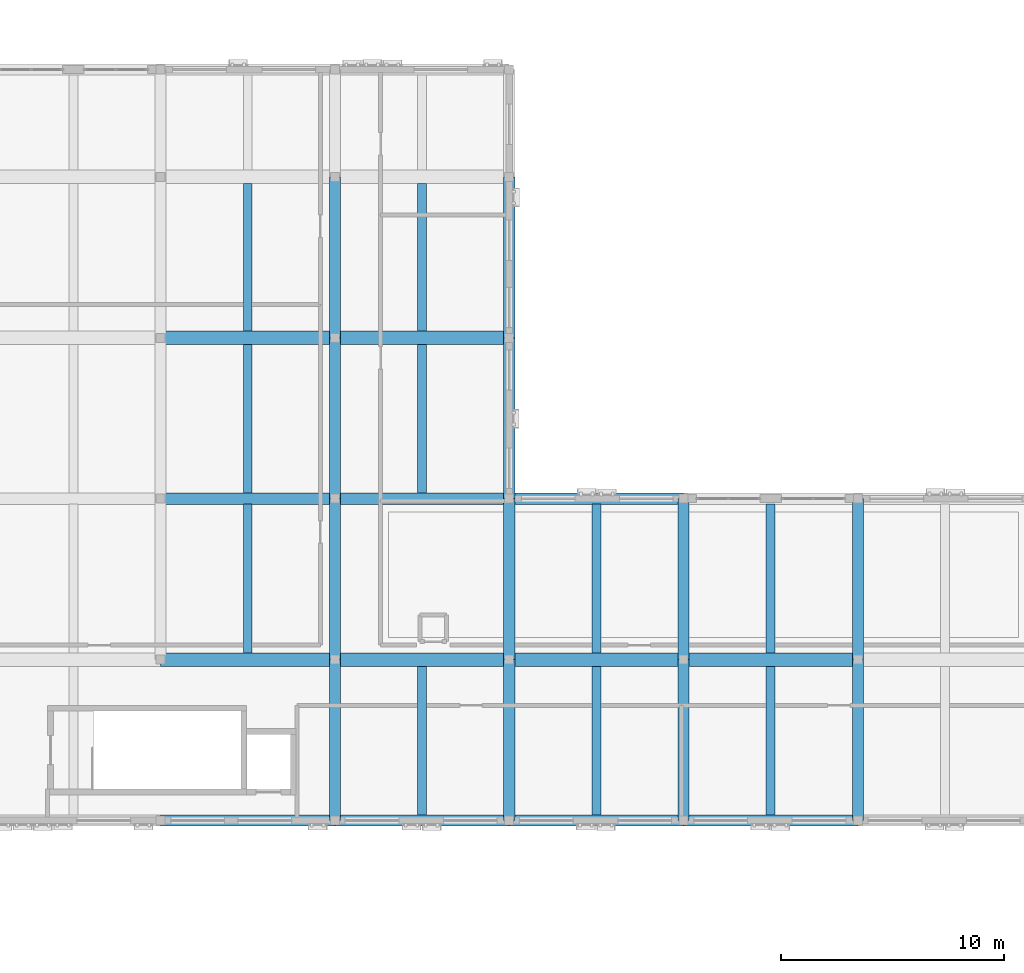
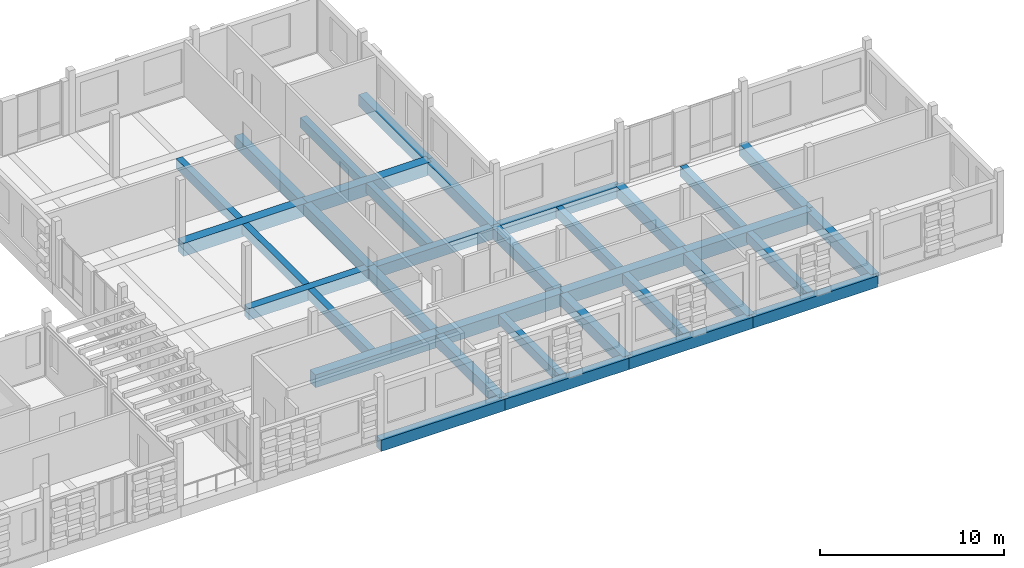
# One storey, part 41 of 99: 35 beams.
"""IFC4 building model written with IfcOpenShell, lengths in metres."""

import ifcopenshell
import ifcopenshell.guid

model = None  # the IFC model being written
_history = None  # IfcOwnerHistory: only IFC2X3 demands one
_inside = {}  # id of a spatial element -> (the spatial element, [elements in it])
_under = {}  # id of a project, library or spatial element -> (it, [spatial elements below it])
_declared = {}  # id of a project -> (the project, [libraries it declares])
_typed = {}  # id of a type object -> (the type object, [elements of that type])
_made_of = {}  # id of a material, layer set ... -> (it, [elements and type objects made of it])


def new_model(schema):
    """Start an empty IFC model of exactly this schema.

    Asked for "IFC4X3", IfcOpenShell would pick the latest addendum, in which some entities
    have other attributes; the version numbers below select the first issue.
    IFC2X3 requires an IfcOwnerHistory on every rooted entity: one is made here for all.
    """
    global model, _history
    if schema == "IFC4X3":
        model = ifcopenshell.file(schema_version=(4, 3, 0, 0))
    else:
        model = ifcopenshell.file(schema=schema)
    _inside.clear()
    _under.clear()
    _declared.clear()
    _typed.clear()
    _made_of.clear()
    _history = None
    if model.schema == "IFC2X3":
        org = make("IfcOrganization", Name="unknown")
        user = make(
            "IfcPersonAndOrganization",
            ThePerson=make("IfcPerson", FamilyName="unknown"),
            TheOrganization=org,
        )
        app = make(
            "IfcApplication",
            ApplicationDeveloper=org,
            Version="unknown",
            ApplicationFullName="unknown",
            ApplicationIdentifier="unknown",
        )
        _history = make(
            "IfcOwnerHistory",
            OwningUser=user,
            OwningApplication=app,
            ChangeAction="ADDED",
            CreationDate=0,
        )
    return model


def make(cls, **values):
    """One entity of the class cls with the attributes given. An attribute that is None is left unset."""
    return model.create_entity(
        cls, **{name: value for name, value in values.items() if value is not None}
    )


def rooted(cls, **values):
    """An entity with a GlobalId (a new one), such as an element, a storey or a relation."""
    return make(cls, GlobalId=ifcopenshell.guid.new(), OwnerHistory=_history, **values)


def si_unit(unit_type, name, prefix=None):
    """IfcSIUnit, for example si_unit("LENGTHUNIT", "METRE", prefix="MILLI")."""
    return make("IfcSIUnit", UnitType=unit_type, Prefix=prefix, Name=name)


def assignment(units):
    """IfcUnitAssignment: the units of a project."""
    return None if units is None else make("IfcUnitAssignment", Units=units)


def point(xyz):
    """IfcCartesianPoint."""
    return None if xyz is None else make("IfcCartesianPoint", Coordinates=xyz)


def direction(xyz):
    """IfcDirection."""
    return None if xyz is None else make("IfcDirection", DirectionRatios=xyz)


def frame(location, z_axis=None, x_axis=None):
    """IfcAxis2Placement3D, a coordinate frame: its origin and axes. An axis left out is left unset."""
    return make(
        "IfcAxis2Placement3D",
        Location=point(location),
        Axis=direction(z_axis),
        RefDirection=direction(x_axis),
    )


def frame_2d(location, x_axis=None):
    """IfcAxis2Placement2D, a coordinate frame in the plane: its origin and x axis."""
    return make(
        "IfcAxis2Placement2D", Location=point(location), RefDirection=direction(x_axis)
    )


def origin():
    """The frame at (0, 0, 0) with its axes left unset."""
    return frame((0.0, 0.0, 0.0))


def origin_2d():
    """The frame at (0, 0) in the plane with its x axis left unset."""
    return frame_2d((0.0, 0.0))


def place(relative_to, where):
    """IfcLocalPlacement: puts the frame where relative to a parent placement (None: the world)."""
    return make(
        "IfcLocalPlacement", PlacementRelTo=relative_to, RelativePlacement=where
    )


def context(
    kind, dimensions, precision=None, world=None, true_north=None, identifier=None
):
    """IfcGeometricRepresentationContext, for example the 3D "Model" context."""
    return make(
        "IfcGeometricRepresentationContext",
        ContextIdentifier=identifier,
        ContextType=kind,
        CoordinateSpaceDimension=dimensions,
        Precision=precision,
        WorldCoordinateSystem=world,
        TrueNorth=true_north,
    )


def subcontext(parent, identifier, kind, view, scale=None):
    """IfcGeometricRepresentationSubContext, for example "Body" below "Model"."""
    return make(
        "IfcGeometricRepresentationSubContext",
        ContextIdentifier=identifier,
        ContextType=kind,
        ParentContext=parent,
        TargetScale=scale,
        TargetView=view,
    )


def project(units=None, contexts=None):
    """IfcProject with its units and contexts."""
    return rooted(
        "IfcProject",
        Name="project",
        RepresentationContexts=contexts,
        UnitsInContext=assignment(units),
    )


def spatial(cls, under=None, at=None, **own):
    """A site, building, storey or space (cls), placed at a placement, below another one or the project."""
    s = rooted(cls, ObjectPlacement=at, **own)
    if under is not None:
        _under.setdefault(under.id(), (under, []))[1].append(s)
    return s


def profile(cls, at=None, kind="AREA", **sizes):
    """A parametric profile (cls). Its sizes go by their IFC names, for example OverallWidth=200.0."""
    return make(cls, ProfileType=kind, Position=at, **sizes)


def rectangle(**sizes):
    """IfcRectangleProfileDef."""
    return profile("IfcRectangleProfileDef", **sizes)


def extrude(swept, where, along, depth):
    """IfcExtrudedAreaSolid: the profile swept, set in the frame where, extruded along a direction by depth."""
    return make(
        "IfcExtrudedAreaSolid",
        SweptArea=swept,
        Position=where,
        ExtrudedDirection=direction(along),
        Depth=depth,
    )


def shape(context_of_items, identifier, shape_type, items):
    """IfcShapeRepresentation: the items that make up one representation, for example the "Body"."""
    return make(
        "IfcShapeRepresentation",
        ContextOfItems=context_of_items,
        RepresentationIdentifier=identifier,
        RepresentationType=shape_type,
        Items=items,
    )


def material(Name=None, Category=None):
    """IfcMaterial."""
    return make("IfcMaterial", Name=Name, Category=Category)


def material_profile(
    of_material, cross_section, Name=None, Category=None, Priority=None
):
    """IfcMaterialProfile: a cross section and its material."""
    return make(
        "IfcMaterialProfile",
        Name=Name,
        Material=of_material,
        Profile=cross_section,
        Priority=Priority,
        Category=Category,
    )


def profile_set(profiles, Name=None, composite=None):
    """IfcMaterialProfileSet."""
    return make(
        "IfcMaterialProfileSet",
        Name=Name,
        MaterialProfiles=profiles,
        CompositeProfile=composite,
    )


def made_of(thing, what):
    """Note that an element or type object is made of a material, layer set ...; save() writes the relation."""
    if what is not None:
        _made_of.setdefault(what.id(), (what, []))[1].append(thing)
    return thing


def type_object(cls, material=None, **own):
    """A type object (cls), such as IfcWallType, which elements share."""
    return made_of(rooted(cls, **own), material)


def element(
    cls,
    number,
    at=None,
    inside=None,
    cuts=None,
    type_object=None,
    material=None,
    context=None,
    identifier="Body",
    shape_type=None,
    held_by="IfcProductDefinitionShape",
    body=None,
    shapes=None,
    **own,
):
    """One element of the class cls, such as IfcWall. Its Tag is "e" and its number.

    at: its placement. inside: the storey or other place that contains it. cuts: it is an
    opening in that element (IfcRelVoidsElement). A single representation is given by context,
    identifier, shape_type and body (its items); several are given by shapes. held_by: the class
    of the entity that holds the representations. save() writes the other relations.
    """
    e = rooted(cls, Tag="e%d" % number, ObjectPlacement=at, **own)
    if body is not None:
        shapes = [shape(context, identifier, shape_type, body)]
    if shapes is not None:
        e.Representation = make(held_by, Representations=shapes)
    if inside is not None:
        _inside.setdefault(inside.id(), (inside, []))[1].append(e)
    if cuts is not None:
        rooted(
            "IfcRelVoidsElement", RelatingBuildingElement=cuts, RelatedOpeningElement=e
        )
    if type_object is not None:
        _typed.setdefault(type_object.id(), (type_object, []))[1].append(e)
    return made_of(e, material)


def aggregate(whole, parts):
    """IfcRelAggregates: a whole, such as a stair, and the parts it consists of."""
    return rooted("IfcRelAggregates", RelatingObject=whole, RelatedObjects=parts)


def save(model, path):
    """Write the relations noted so far, then the file.

    IfcRelAggregates (storeys below a building ...), IfcRelContainedInSpatialStructure (elements
    in a storey), IfcRelDefinesByType, IfcRelAssociatesMaterial and IfcRelDeclares: one each for
    every whole, place, type object, material and project.
    """
    for whole, parts in _under.values():
        aggregate(whole, parts)
    for where, things in _inside.values():
        rooted(
            "IfcRelContainedInSpatialStructure",
            RelatedElements=things,
            RelatingStructure=where,
        )
    for kind, things in _typed.values():
        rooted("IfcRelDefinesByType", RelatedObjects=things, RelatingType=kind)
    for what, things in _made_of.values():
        rooted("IfcRelAssociatesMaterial", RelatedObjects=things, RelatingMaterial=what)
    for by, libraries in _declared.values():
        rooted("IfcRelDeclares", RelatingContext=by, RelatedDefinitions=libraries)
    model.write(path)


model = new_model("IFC4")

# Units and contexts
model_context = context("Model", 3, precision=1e-05, world=origin(), true_north=direction((0.0, 1.0)))
body_context = subcontext(model_context, "Body", "Model", "MODEL_VIEW")
ifc_project = project(units=[si_unit("LENGTHUNIT", "METRE"), si_unit("AREAUNIT", "SQUARE_METRE"), si_unit("VOLUMEUNIT", "CUBIC_METRE"), si_unit("PLANEANGLEUNIT", "RADIAN"), si_unit("MASSUNIT", "GRAM", prefix="KILO")], contexts=[model_context])

# Site, building, storey
site_placement = place(None, origin())
site = spatial("IfcSite", under=ifc_project, at=site_placement, CompositionType="ELEMENT")
building_placement = place(site_placement, origin())
building = spatial("IfcBuilding", under=site, at=building_placement, Name="Kahlenmark Community Centre", CompositionType="ELEMENT")
storey_placement = place(building_placement, frame((0.0, 0.0, 5.39990234375)))
storey = spatial("IfcBuildingStorey", under=building, at=storey_placement, Name="L01", CompositionType="ELEMENT", Elevation=5.39990234375)

# Beams
ifc_material = material(Name="Concrete C35/45", Category="concrete")
ifc_material_profile_1 = material_profile(ifc_material, rectangle(XDim=0.5, YDim=0.75, at=origin_2d()), Name="RC 500x750")
ifc_profile_set_1 = profile_set([ifc_material_profile_1], Name="Concrete C35/45")
beam_type_1 = type_object("IfcBeamType", Name="BT-BEAM-RC500x750", PredefinedType="BEAM", material=ifc_profile_set_1)
for number, where, z_axis, x_axis, name in (
    (1, (137.199951171875, 8.800048828125, -0.375), (0.0, 1.0, 0.0), (-1.0, 0.0, 0.0), "L01 beam BG-RC500x750"),
    (2, (137.199951171875, 16.0, -0.375), (0.0, 1.0, 0.0), (-1.0, 0.0, 0.0), "L01 beam BG-RC500x750"),
    (3, (145.0, 8.800048828125, -0.375), (0.0, 1.0, 0.0), (-1.0, 0.0, 0.0), "L01 beam BG-RC500x750"),
    (4, (145.0, 16.0, -0.375), (0.0, 1.0, 0.0), (-1.0, 0.0, 0.0), "L01 beam BG-RC500x750"),
    (5, (152.800048828125, 8.800048828125, -0.375), (0.0, 1.0, 0.0), (-1.0, 0.0, 0.0), "L01 beam BG-RC500x750"),
    (6, (152.800048828125, 16.0, -0.375), (0.0, 1.0, 0.0), (-1.0, 0.0, 0.0), "L01 beam BG-RC500x750"),
    (7, (160.60009765625, 8.800048828125, -0.375), (0.0, 1.0, 0.0), (-1.0, 0.0, 0.0), "L01 beam BG-RC500x750"),
    (8, (160.60009765625, 16.0, -0.375), (0.0, 1.0, 0.0), (-1.0, 0.0, 0.0), "L01 beam BG-RC500x750"),
    (9, (137.199951171875, 23.199951171875, -0.375), (0.0, 1.0, 0.0), (-1.0, 0.0, 0.0), "L01 beam BG-RC500x750"),
):
    element("IfcBeam", number, at=place(storey_placement, frame(where, z_axis=z_axis, x_axis=x_axis)), inside=storey, type_object=beam_type_1, Name=name, PredefinedType="BEAM", context=body_context, shape_type="SweptSolid", body=[
        extrude(rectangle(XDim=0.5, YDim=0.75, at=origin_2d()), origin(), (0.0, 0.0, 1.0), 7.199951171875),
    ])
beam_1_placement = place(storey_placement, frame((137.199951171875, 30.39990234375, -0.375), z_axis=(0.0, 1.0, 0.0), x_axis=(-1.0, 0.0, 0.0)))
element("IfcBeam", 10, at=beam_1_placement, inside=storey, type_object=beam_type_1, Name="L01 beam BG-RC500x750", PredefinedType="BEAM", context=body_context, shape_type="SweptSolid", body=[
    extrude(rectangle(XDim=0.5, YDim=0.75, at=origin_2d()), origin(), (0.0, 0.0, 1.0), 7.2001953125),
])
ifc_material_profile_2 = material_profile(ifc_material, rectangle(XDim=0.60009765625, YDim=0.85009765625, at=origin_2d()), Name="RC 600x850")
ifc_profile_set_2 = profile_set([ifc_material_profile_2], Name="Concrete C35/45")
beam_type_2 = type_object("IfcBeamType", Name="BT-BEAM-RC600x850", PredefinedType="BEAM", material=ifc_profile_set_2)
for number, where, z_axis, x_axis, name in (
    (11, (129.39990234375, 16.0, -0.4248046875), (1.0, 0.0, 0.0), (0.0, 1.0, 0.0), "L01 beam BG-RC600x850"),
    (12, (137.199951171875, 16.0, -0.4248046875), (1.0, 0.0, 0.0), (0.0, 1.0, 0.0), "L01 beam BG-RC600x850"),
    (13, (145.0, 16.0, -0.4248046875), (1.0, 0.0, 0.0), (0.0, 1.0, 0.0), "L01 beam BG-RC600x850"),
    (14, (152.800048828125, 16.0, -0.4248046875), (1.0, 0.0, 0.0), (0.0, 1.0, 0.0), "L01 beam BG-RC600x850"),
    (15, (129.39990234375, 30.39990234375, -0.4248046875), (1.0, 0.0, 0.0), (0.0, 1.0, 0.0), "L01 beam BG-RC600x850"),
    (16, (137.199951171875, 30.39990234375, -0.4248046875), (1.0, 0.0, 0.0), (0.0, 1.0, 0.0), "L01 beam BG-RC600x850"),
):
    element("IfcBeam", number, at=place(storey_placement, frame(where, z_axis=z_axis, x_axis=x_axis)), inside=storey, type_object=beam_type_2, Name=name, PredefinedType="BEAM", context=body_context, shape_type="SweptSolid", body=[
        extrude(rectangle(XDim=0.60009765625, YDim=0.85009765625, at=origin_2d()), origin(), (0.0, 0.0, 1.0), 7.800048828125),
    ])
ifc_material_profile_3 = material_profile(ifc_material, rectangle(XDim=0.39990234375, YDim=0.64990234375, at=origin_2d()), Name="RC 400x650")
ifc_profile_set_3 = profile_set([ifc_material_profile_3], Name="Concrete C35/45")
beam_type_3 = type_object("IfcBeamType", Name="BT-JOIST-RC400x650", PredefinedType="JOIST", material=ifc_profile_set_3)
for number, where, z_axis, x_axis, name in (
    (17, (133.300048828125, 16.298095703125, -0.324951171875), (0.0, 1.0, 0.0), (-1.0, 0.0, 0.0), "L01 joist BJ-RC400x650"),
    (18, (141.10009765625, 9.048095703125, -0.324951171875), (0.0, 1.0, 0.0), (-1.0, 0.0, 0.0), "L01 joist BJ-RC400x650"),
    (19, (148.89990234375, 9.048095703125, -0.324951171875), (0.0, 1.0, 0.0), (-1.0, 0.0, 0.0), "L01 joist BJ-RC400x650"),
    (20, (148.89990234375, 16.298095703125, -0.324951171875), (0.0, 1.0, 0.0), (-1.0, 0.0, 0.0), "L01 joist BJ-RC400x650"),
    (21, (156.699951171875, 9.048095703125, -0.324951171875), (0.0, 1.0, 0.0), (-1.0, 0.0, 0.0), "L01 joist BJ-RC400x650"),
    (22, (156.699951171875, 16.298095703125, -0.324951171875), (0.0, 1.0, 0.0), (-1.0, 0.0, 0.0), "L01 joist BJ-RC400x650"),
):
    element("IfcBeam", number, at=place(storey_placement, frame(where, z_axis=z_axis, x_axis=x_axis)), inside=storey, type_object=beam_type_3, Name=name, PredefinedType="JOIST", context=body_context, shape_type="SweptSolid", body=[
        extrude(rectangle(XDim=0.39990234375, YDim=0.64990234375, at=origin_2d()), origin(), (0.0, 0.0, 1.0), 6.65380859375),
    ])
beam_2_placement = place(storey_placement, frame((133.300048828125, 23.447998046875, -0.324951171875), z_axis=(0.0, 1.0, 0.0), x_axis=(-1.0, 0.0, 0.0)))
element("IfcBeam", 23, at=beam_2_placement, inside=storey, type_object=beam_type_3, Name="L01 joist BJ-RC400x650", PredefinedType="JOIST", context=body_context, shape_type="SweptSolid", body=[
    extrude(rectangle(XDim=0.39990234375, YDim=0.64990234375, at=origin_2d()), origin(), (0.0, 0.0, 1.0), 6.654052734375),
])
beam_3_placement = place(storey_placement, frame((133.300048828125, 30.697998046875, -0.324951171875), z_axis=(0.0, 1.0, 0.0), x_axis=(-1.0, 0.0, 0.0)))
element("IfcBeam", 24, at=beam_3_placement, inside=storey, type_object=beam_type_3, Name="L01 joist BJ-RC400x650", PredefinedType="JOIST", context=body_context, shape_type="SweptSolid", body=[
    extrude(rectangle(XDim=0.39990234375, YDim=0.64990234375, at=origin_2d()), origin(), (0.0, 0.0, 1.0), 6.60400390625),
])
beam_4_placement = place(storey_placement, frame((141.10009765625, 23.447998046875, -0.324951171875), z_axis=(0.0, 1.0, 0.0), x_axis=(-1.0, 0.0, 0.0)))
element("IfcBeam", 25, at=beam_4_placement, inside=storey, type_object=beam_type_3, Name="L01 joist BJ-RC400x650", PredefinedType="JOIST", context=body_context, shape_type="SweptSolid", body=[
    extrude(rectangle(XDim=0.39990234375, YDim=0.64990234375, at=origin_2d()), origin(), (0.0, 0.0, 1.0), 6.654052734375),
])
beam_5_placement = place(storey_placement, frame((141.10009765625, 30.697998046875, -0.324951171875), z_axis=(0.0, 1.0, 0.0), x_axis=(-1.0, 0.0, 0.0)))
element("IfcBeam", 26, at=beam_5_placement, inside=storey, type_object=beam_type_3, Name="L01 joist BJ-RC400x650", PredefinedType="JOIST", context=body_context, shape_type="SweptSolid", body=[
    extrude(rectangle(XDim=0.39990234375, YDim=0.64990234375, at=origin_2d()), origin(), (0.0, 0.0, 1.0), 6.60400390625),
])
ifc_material_profile_4 = material_profile(ifc_material, rectangle(XDim=0.5, YDim=0.75, at=origin_2d()), Name="RC 500x750")
ifc_profile_set_4 = profile_set([ifc_material_profile_4], Name="Concrete C35/45")
beam_type_4 = type_object("IfcBeamType", Name="BT-SPANDREL-RC500x750", PredefinedType="SPANDREL", material=ifc_profile_set_4)
for number, where, z_axis, x_axis, name in (
    (27, (129.39990234375, 8.800048828125, -0.375), (1.0, 0.0, 0.0), (0.0, 1.0, 0.0), "L01 spandrel SP-RC500x750"),
    (28, (137.199951171875, 8.800048828125, -0.375), (1.0, 0.0, 0.0), (0.0, 1.0, 0.0), "L01 spandrel SP-RC500x750"),
    (29, (145.0, 8.800048828125, -0.375), (1.0, 0.0, 0.0), (0.0, 1.0, 0.0), "L01 spandrel SP-RC500x750"),
    (30, (152.800048828125, 8.800048828125, -0.375), (1.0, 0.0, 0.0), (0.0, 1.0, 0.0), "L01 spandrel SP-RC500x750"),
    (31, (129.39990234375, 23.199951171875, -0.375), (1.0, 0.0, 0.0), (0.0, 1.0, 0.0), "L01 spandrel SP-RC500x750"),
    (32, (137.199951171875, 23.199951171875, -0.375), (1.0, 0.0, 0.0), (0.0, 1.0, 0.0), "L01 spandrel SP-RC500x750"),
    (33, (145.0, 23.199951171875, -0.375), (1.0, 0.0, 0.0), (0.0, 1.0, 0.0), "L01 spandrel SP-RC500x750"),
):
    element("IfcBeam", number, at=place(storey_placement, frame(where, z_axis=z_axis, x_axis=x_axis)), inside=storey, type_object=beam_type_4, Name=name, PredefinedType="SPANDREL", context=body_context, shape_type="SweptSolid", body=[
        extrude(rectangle(XDim=0.5, YDim=0.75, at=origin_2d()), origin(), (0.0, 0.0, 1.0), 7.800048828125),
    ])
beam_6_placement = place(storey_placement, frame((145.0, 23.199951171875, -0.375), z_axis=(0.0, 1.0, 0.0), x_axis=(-1.0, 0.0, 0.0)))
element("IfcBeam", 34, at=beam_6_placement, inside=storey, type_object=beam_type_4, Name="L01 spandrel SP-RC500x750", PredefinedType="SPANDREL", context=body_context, shape_type="SweptSolid", body=[
    extrude(rectangle(XDim=0.5, YDim=0.75, at=origin_2d()), origin(), (0.0, 0.0, 1.0), 7.199951171875),
])
beam_7_placement = place(storey_placement, frame((145.0, 30.39990234375, -0.375), z_axis=(0.0, 1.0, 0.0), x_axis=(-1.0, 0.0, 0.0)))
element("IfcBeam", 35, at=beam_7_placement, inside=storey, type_object=beam_type_4, Name="L01 spandrel SP-RC500x750", PredefinedType="SPANDREL", context=body_context, shape_type="SweptSolid", body=[
    extrude(rectangle(XDim=0.5, YDim=0.75, at=origin_2d()), origin(), (0.0, 0.0, 1.0), 7.2001953125),
])

save(model, "model.ifc")
